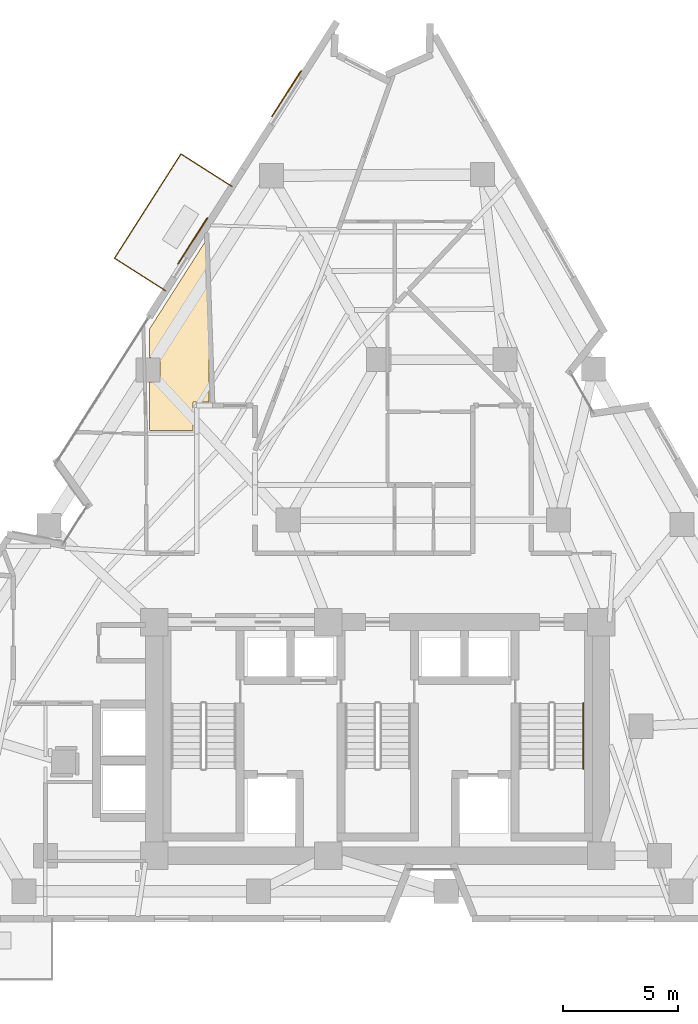
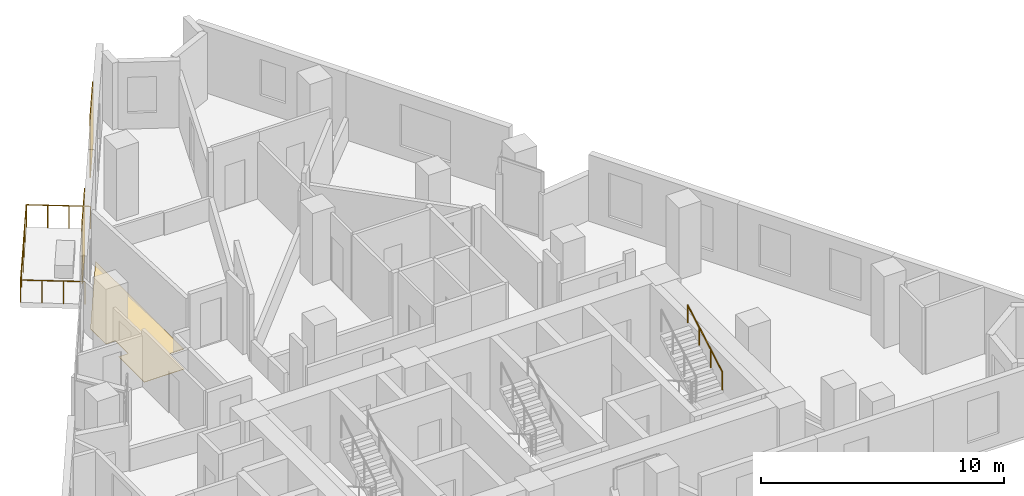
# One storey, part 11 of 11: 3 coverings, 2 railings.
"""IFC4 building model written with IfcOpenShell, lengths in metres."""

from ifc_helpers import new_model, si_unit, direction, frame, origin, origin_2d, place, context, subcontext, project, spatial, polyline, rectangle, circle, outline, extrude, material, layer, layer_set, type_object, element, save


model = new_model("IFC4")

# Units and contexts
model_context = context("Model", 3, precision=1e-05, world=origin(), true_north=direction((0.0, 1.0)))
body_context = subcontext(model_context, "Body", "Model", "MODEL_VIEW")
ifc_project = project(units=[si_unit("LENGTHUNIT", "METRE"), si_unit("AREAUNIT", "SQUARE_METRE"), si_unit("VOLUMEUNIT", "CUBIC_METRE"), si_unit("PLANEANGLEUNIT", "RADIAN"), si_unit("MASSUNIT", "GRAM", prefix="KILO")], contexts=[model_context])

# Site, building, storey
site_placement = place(None, origin())
site = spatial("IfcSite", under=ifc_project, at=site_placement, CompositionType="ELEMENT")
building_placement = place(site_placement, origin())
building = spatial("IfcBuilding", under=site, at=building_placement, Name="Almagre Mirador Tower", CompositionType="ELEMENT")
storey_placement = place(building_placement, frame((0.0, 0.0, 150.0)))
storey = spatial("IfcBuildingStorey", under=building, at=storey_placement, Name="L38", CompositionType="ELEMENT", Elevation=150.0)

# Coverings
ifc_material_1 = material(Name="Almagre terracotta architectural cladding", Category="masonry")
ifc_layer_1 = layer(ifc_material_1, 0.044921875)
ifc_layer_set_1 = layer_set([ifc_layer_1], Name="Almagre terracotta architectural cladding")
covering_type_1 = type_object("IfcCoveringType", Name="COV-CLAD-ALMAGRE", PredefinedType="CLADDING", material=ifc_layer_set_1)
for number, where, z_axis, x_axis, name in (
    (1, (29.23193359375, 31.380615234375, 0.10009765625), (0.0, 0.0, 1.0), (0.537122957072, 0.843503959081, 0.0), "L38 almagre terracotta pier cladding"),
    (2, (33.3310546875, 37.818115234375, 0.10009765625), (0.0, 0.0, 1.0), (0.537108235069, 0.843513333517, 0.0), "L38 almagre terracotta pier cladding"),
):
    element("IfcCovering", number, at=place(storey_placement, frame(where, z_axis=z_axis, x_axis=x_axis)), inside=storey, type_object=covering_type_1, Name=name, PredefinedType="CLADDING", context=body_context, shape_type="SweptSolid", body=[
        extrude(rectangle(XDim=2.39990234375, YDim=0.044921875, at=origin_2d()), origin(), (0.0, 0.0, 1.0), 3.14990234375),
    ])
ifc_material_2 = material(Name="Engineered white oak flooring", Category="wood")
ifc_layer_2 = layer(ifc_material_2, 0.01806640625)
ifc_layer_set_2 = layer_set([ifc_layer_2], Name="Engineered white oak flooring")
covering_type_2 = type_object("IfcCoveringType", Name="COV-FLR-OAK-18", PredefinedType="FLOORING", material=ifc_layer_set_2)
covering_placement = place(storey_placement, origin())
element("IfcCovering", 3, at=covering_placement, inside=storey, type_object=covering_type_2, Name="L38 Unit L38-G Living and Dining Room finish flooring", PredefinedType="FLOORING", context=body_context, shape_type="SweptSolid", body=[
    extrude(outline(polyline([(29.949951171875, 24.35009765625), (29.25, 24.35009765625), (29.25, 23.110107421875), (27.35009765625, 23.110107421875), (27.35009765625, 25.217041015625), (27.802001953125, 25.217041015625), (27.802001953125, 26.277099609375), (27.35009765625, 26.277099609375), (27.35009765625, 27.5458984375), (29.949951171875, 31.6259765625), (29.949951171875, 24.35009765625)])), origin(), (0.0, 0.0, 1.0), 0.01806640625),
])

# Railings
ifc_material_3 = material(Name="Black anodized aluminium", Category="aluminium")
railing_type_1 = type_object("IfcRailingType", Name="RLG-BAL-1150", PredefinedType="BALUSTRADE", material=ifc_material_3)
railing_1_placement = place(storey_placement, frame((30.949951171875, 33.757080078125, 0.0)))
element("IfcRailing", 4, at=railing_1_placement, inside=storey, type_object=railing_type_1, Name="L38 west balcony balustrade 2", PredefinedType="BALUSTRADE", context=body_context, shape_type="SweptSolid", body=[
    extrude(circle(Radius=0.02392578125, at=origin_2d()), frame((0.0, 0.0, 1.1259765625), z_axis=(-0.843380639334, 0.537316570745, 0.0), x_axis=(-0.537316570745, -0.843380639334, 0.0)), (0.0, 0.0, 1.0), 2.64990234375),
    extrude(circle(Radius=0.02392578125, at=origin_2d()), frame((-2.23486328125, 1.423828125, 1.1259765625), z_axis=(-0.537208927139, -0.84344920926, 0.0), x_axis=(0.84344920926, -0.537208927139, 0.0)), (0.0, 0.0, 1.0), 5.400390625),
    extrude(circle(Radius=0.02392578125, at=origin_2d()), frame((-5.135986328125, -3.131103515625, 1.1259765625), z_axis=(0.843638730299, -0.536911252201, 0.0), x_axis=(0.536911252201, 0.843638730299, 0.0)), (0.0, 0.0, 1.0), 2.650634765625),
    extrude(circle(Radius=0.02099609375, at=origin_2d()), origin(), (0.0, 0.0, 1.0), 1.101806640625),
    extrude(circle(Radius=0.02099609375, at=origin_2d()), frame((-0.744873046875, 0.474609375, 0.0)), (0.0, 0.0, 1.0), 1.101806640625),
    extrude(circle(Radius=0.02099609375, at=origin_2d()), frame((-1.489990234375, 0.94921875, 0.0)), (0.0, 0.0, 1.0), 1.101806640625),
    extrude(circle(Radius=0.02099609375, at=origin_2d()), frame((-2.23486328125, 1.423828125, 0.0)), (0.0, 0.0, 1.0), 1.101806640625),
    extrude(circle(Radius=0.02099609375, at=origin_2d()), frame((-2.815185546875, 0.512939453125, 0.0)), (0.0, 0.0, 1.0), 1.101806640625),
    extrude(circle(Radius=0.02099609375, at=origin_2d()), frame((-3.395263671875, -0.398193359375, 0.0)), (0.0, 0.0, 1.0), 1.101806640625),
    extrude(circle(Radius=0.02099609375, at=origin_2d()), frame((-3.9755859375, -1.30908203125, 0.0)), (0.0, 0.0, 1.0), 1.101806640625),
    extrude(circle(Radius=0.02099609375, at=origin_2d()), frame((-4.5556640625, -2.22021484375, 0.0)), (0.0, 0.0, 1.0), 1.101806640625),
    extrude(circle(Radius=0.02099609375, at=origin_2d()), frame((-5.135986328125, -3.131103515625, 0.0)), (0.0, 0.0, 1.0), 1.101806640625),
    extrude(circle(Radius=0.02099609375, at=origin_2d()), frame((-4.390625, -3.60546875, 0.0)), (0.0, 0.0, 1.0), 1.101806640625),
    extrude(circle(Radius=0.02099609375, at=origin_2d()), frame((-3.645263671875, -4.079833984375, 0.0)), (0.0, 0.0, 1.0), 1.101806640625),
    extrude(circle(Radius=0.02099609375, at=origin_2d()), frame((-2.89990234375, -4.55419921875, 0.0)), (0.0, 0.0, 1.0), 1.101806640625),
])
ifc_material_4 = material(Name="Brushed stainless steel", Category="steel")
railing_type_2 = type_object("IfcRailingType", Name="RLG-HND-915", PredefinedType="HANDRAIL", material=ifc_material_4)
railing_2_placement = place(storey_placement, frame((46.27490234375, 8.35009765625, 1.963623046875)))
element("IfcRailing", 5, at=railing_2_placement, inside=storey, type_object=railing_type_2, Name="L38 ST-3 stair handrail 2", PredefinedType="HANDRAIL", context=body_context, shape_type="SweptSolid", body=[
    extrude(circle(Radius=0.02392578125, at=origin_2d()), frame((0.0, 0.0, 0.89111328125), z_axis=(0.0, 0.867194282975, 0.497969954491), x_axis=(-1.0, 0.0, 0.0)), (0.0, 0.0, 1.0), 3.286376953125),
    extrude(circle(Radius=0.02099609375, at=origin_2d()), origin(), (0.0, 0.0, 1.0), 0.866943359375),
    extrude(circle(Radius=0.02099609375, at=origin_2d()), frame((0.0, 0.949951171875, 0.54541015625)), (0.0, 0.0, 1.0), 0.866943359375),
    extrude(circle(Radius=0.02099609375, at=origin_2d()), frame((0.0, 1.89990234375, 1.091064453125)), (0.0, 0.0, 1.0), 0.866943359375),
    extrude(circle(Radius=0.02099609375, at=origin_2d()), frame((0.0, 2.849853515625, 1.636474609375)), (0.0, 0.0, 1.0), 0.866943359375),
])

save(model, "model.ifc")
